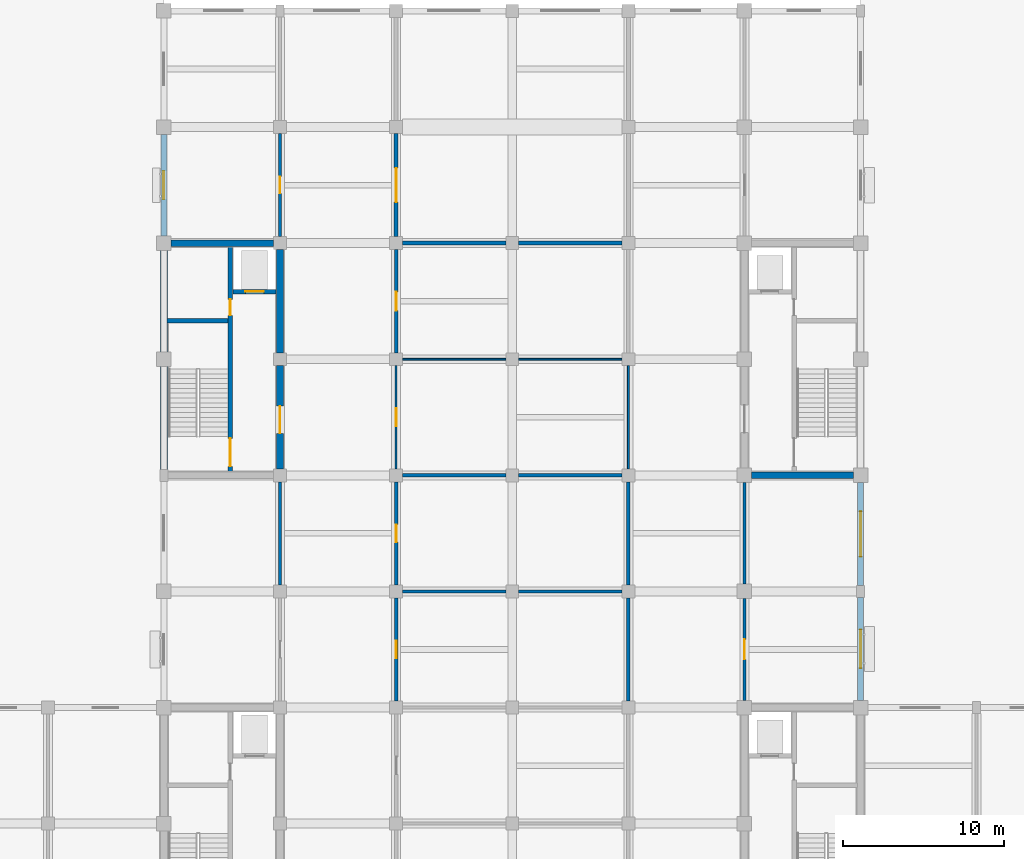
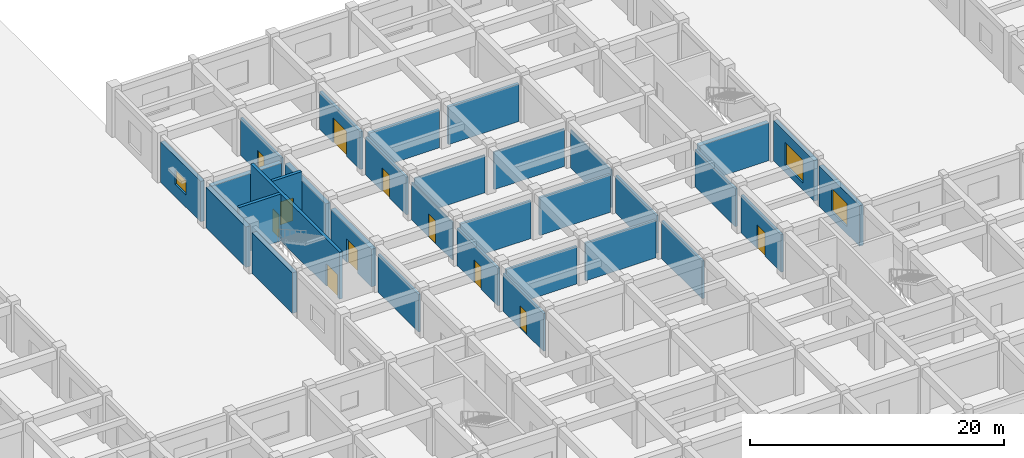
# One storey, part 13 of 37: 32 walls, 11 doors, 3 windows, 14 openings.
"""IFC4 building model written with IfcOpenShell, lengths in metres."""

from ifc_helpers import new_model, si_unit, direction, frame, frame_2d, origin, place, context, subcontext, project, spatial, rectangle, extrude, material, layer, layer_set, type_object, element, fill, save


model = new_model("IFC4")

# Units and contexts
model_context = context("Model", 3, precision=1e-05, world=origin(), true_north=direction((0.0, 1.0)))
body_context = subcontext(model_context, "Body", "Model", "MODEL_VIEW")
ifc_project = project(units=[si_unit("LENGTHUNIT", "METRE"), si_unit("AREAUNIT", "SQUARE_METRE"), si_unit("VOLUMEUNIT", "CUBIC_METRE"), si_unit("PLANEANGLEUNIT", "RADIAN"), si_unit("MASSUNIT", "GRAM", prefix="KILO")], contexts=[model_context])

# Site, building, storey
site_placement = place(None, origin())
site = spatial("IfcSite", under=ifc_project, at=site_placement, CompositionType="ELEMENT")
building_placement = place(site_placement, origin())
building = spatial("IfcBuilding", under=site, at=building_placement, Name="Cendaluz Park School", CompositionType="ELEMENT")
storey_placement = place(building_placement, origin())
storey = spatial("IfcBuildingStorey", under=building, at=storey_placement, Name="L00", CompositionType="ELEMENT", Elevation=0.0)

# Wall
ifc_material_1 = material(Name="Gypsum Plasterboard on Cold-Formed Stud", Category="gypsum")
ifc_layer_1 = layer(ifc_material_1, 0.199951171875)
ifc_layer_set_1 = layer_set([ifc_layer_1], Name="Gypsum Plasterboard on Cold-Formed Stud")
wall_type_1 = type_object("IfcWallType", Name="W-AC20", PredefinedType="PARTITIONING", material=ifc_layer_set_1)
wall_1_placement = place(storey_placement, frame((79.60009765625, 36.0, 0.0), z_axis=(0.0, 0.0, 1.0), x_axis=(1.0, 0.0, 0.0)))
element("IfcWall", 1, at=wall_1_placement, inside=storey, type_object=wall_type_1, Name="WL-FA-CE6", PredefinedType="PARTITIONING", context=body_context, shape_type="SweptSolid", body=[
    extrude(rectangle(XDim=6.39990234375, YDim=0.199951171875, at=frame_2d((3.199951171875, 0.0))), origin(), (0.0, 0.0, 1.0), 3.6201171875),
])

# Wall, opening, door
wall_2_placement = place(storey_placement, frame((79.199951171875, 29.199951171875, 0.0), z_axis=(0.0, 0.0, 1.0), x_axis=(0.0, 1.0, 0.0)))
wall_2 = element("IfcWall", 2, at=wall_2_placement, inside=storey, type_object=wall_type_1, Name="WL-FA-CE7", PredefinedType="PARTITIONING", context=body_context, shape_type="SweptSolid", body=[
    extrude(rectangle(XDim=6.400146484375, YDim=0.199951171875, at=frame_2d((3.2001953125, 0.0))), origin(), (0.0, 0.0, 1.0), 3.6201171875),
])
opening_1_placement = place(wall_2_placement, frame((2.669921875, 0.0, 0.0)))
opening_1 = element("IfcOpeningElement", 3, at=opening_1_placement, cuts=wall_2, Name="Opening DCL-04", PredefinedType="OPENING", context=body_context, shape_type="SweptSolid", body=[
    extrude(rectangle(XDim=1.06005859375, YDim=2.159912109375, at=frame_2d((0.530029296875, 1.080078125))), frame((0.0, 0.112060546875, 0.0), z_axis=(0.0, -1.0, 0.0), x_axis=(1.0, 0.0, 0.0)), (0.0, 0.0, 1.0), 0.223876953125),
])
ifc_material_2 = material(Name="Solid Core Hardwood", Category="wood")
door_type_1 = type_object("IfcDoorType", Name="DCL-04", OperationType="NOTDEFINED", PredefinedType="DOOR", material=ifc_material_2)
door_1_placement = place(opening_1_placement, frame((1.06005859375, 0.0, 0.0), z_axis=(0.0, 0.0, 1.0), x_axis=(-1.0, 0.0, 0.0)))
door_1 = element("IfcDoor", 4, at=door_1_placement, inside=storey, type_object=door_type_1, Name="D-L00-076", OperationType="SINGLE_SWING_RIGHT", OverallHeight=2.159912109375, OverallWidth=1.06005859375, PredefinedType="DOOR", context=body_context, shape_type="SweptSolid", body=[
    extrude(rectangle(XDim=1.06005859375, YDim=2.159912109375, at=frame_2d((0.530029296875, 1.080078125))), frame((0.0, 0.02490234375, 0.0), z_axis=(0.0, -1.0, 0.0), x_axis=(1.0, 0.0, 0.0)), (0.0, 0.0, 1.0), 0.050048828125),
])
fill(opening_1, door_1)

# Walls
wall_3_placement = place(storey_placement, frame((86.800048828125, 36.0, 0.0), z_axis=(0.0, 0.0, 1.0), x_axis=(1.0, 0.0, 0.0)))
element("IfcWall", 5, at=wall_3_placement, inside=storey, type_object=wall_type_1, Name="WL-FA-CE9", PredefinedType="PARTITIONING", context=body_context, shape_type="SweptSolid", body=[
    extrude(rectangle(XDim=6.39990234375, YDim=0.199951171875, at=frame_2d((3.199951171875, 0.0))), origin(), (0.0, 0.0, 1.0), 3.6201171875),
])
wall_4_placement = place(storey_placement, frame((93.60009765625, 29.199951171875, 0.0), z_axis=(0.0, 0.0, 1.0), x_axis=(0.0, 1.0, 0.0)))
element("IfcWall", 6, at=wall_4_placement, inside=storey, type_object=wall_type_1, Name="WL-FA-CF0", PredefinedType="PARTITIONING", context=body_context, shape_type="SweptSolid", body=[
    extrude(rectangle(XDim=6.400146484375, YDim=0.199951171875, at=frame_2d((3.2001953125, 0.0))), origin(), (0.0, 0.0, 1.0), 3.6201171875),
])
wall_5_placement = place(storey_placement, frame((79.60009765625, 43.199951171875, 0.0), z_axis=(0.0, 0.0, 1.0), x_axis=(1.0, 0.0, 0.0)))
element("IfcWall", 7, at=wall_5_placement, inside=storey, type_object=wall_type_1, Name="WL-FA-CF1", PredefinedType="PARTITIONING", context=body_context, shape_type="SweptSolid", body=[
    extrude(rectangle(XDim=6.39990234375, YDim=0.199951171875, at=frame_2d((3.199951171875, 0.0))), origin(), (0.0, 0.0, 1.0), 3.6201171875),
])

# Wall, opening, door
wall_6_placement = place(storey_placement, frame((79.199951171875, 36.39990234375, 0.0), z_axis=(0.0, 0.0, 1.0), x_axis=(0.0, 1.0, 0.0)))
wall_6 = element("IfcWall", 8, at=wall_6_placement, inside=storey, type_object=wall_type_1, Name="WL-FA-CF2", PredefinedType="PARTITIONING", context=body_context, shape_type="SweptSolid", body=[
    extrude(rectangle(XDim=6.400146484375, YDim=0.199951171875, at=frame_2d((3.2001953125, 0.0))), origin(), (0.0, 0.0, 1.0), 3.6201171875),
])
opening_2_placement = place(wall_6_placement, frame((2.659912109375, 0.0, 0.0)))
opening_2 = element("IfcOpeningElement", 9, at=opening_2_placement, cuts=wall_6, Name="Opening DCL-05", PredefinedType="OPENING", context=body_context, shape_type="SweptSolid", body=[
    extrude(rectangle(XDim=1.080078125, YDim=2.179931640625, at=frame_2d((0.5400390625, 1.08984375))), frame((0.0, 0.112060546875, 0.0), z_axis=(0.0, -1.0, 0.0), x_axis=(1.0, 0.0, 0.0)), (0.0, 0.0, 1.0), 0.223876953125),
])
door_type_2 = type_object("IfcDoorType", Name="DCL-05", OperationType="NOTDEFINED", PredefinedType="DOOR", material=ifc_material_2)
door_2_placement = place(opening_2_placement, frame((1.080078125, 0.0, 0.0), z_axis=(0.0, 0.0, 1.0), x_axis=(-1.0, 0.0, 0.0)))
door_2 = element("IfcDoor", 10, at=door_2_placement, inside=storey, type_object=door_type_2, Name="D-L00-077", OperationType="SINGLE_SWING_LEFT", OverallHeight=2.179931640625, OverallWidth=1.080078125, PredefinedType="DOOR", context=body_context, shape_type="SweptSolid", body=[
    extrude(rectangle(XDim=1.080078125, YDim=2.179931640625, at=frame_2d((0.5400390625, 1.08984375))), frame((0.0, 0.02490234375, 0.0), z_axis=(0.0, -1.0, 0.0), x_axis=(1.0, 0.0, 0.0)), (0.0, 0.0, 1.0), 0.050048828125),
])
fill(opening_2, door_2)

# Walls
wall_7_placement = place(storey_placement, frame((86.800048828125, 43.199951171875, 0.0), z_axis=(0.0, 0.0, 1.0), x_axis=(1.0, 0.0, 0.0)))
element("IfcWall", 11, at=wall_7_placement, inside=storey, type_object=wall_type_1, Name="WL-FA-CF3", PredefinedType="PARTITIONING", context=body_context, shape_type="SweptSolid", body=[
    extrude(rectangle(XDim=6.39990234375, YDim=0.199951171875, at=frame_2d((3.199951171875, 0.0))), origin(), (0.0, 0.0, 1.0), 3.6201171875),
])
for number, where, z_axis, x_axis, name in (
    (12, (93.60009765625, 36.39990234375, 0.0), (0.0, 0.0, 1.0), (0.0, 1.0, 0.0), "WL-FA-CF4"),
    (13, (72.0, 36.39990234375, 0.0), (0.0, 0.0, 1.0), (0.0, 1.0, 0.0), "WL-FA-CJ5"),
):
    element("IfcWall", number, at=place(storey_placement, frame(where, z_axis=z_axis, x_axis=x_axis)), inside=storey, type_object=wall_type_1, Name=name, PredefinedType="PARTITIONING", context=body_context, shape_type="SweptSolid", body=[
        extrude(rectangle(XDim=6.400146484375, YDim=0.199951171875, at=frame_2d((3.2001953125, 0.0))), origin(), (0.0, 0.0, 1.0), 3.6201171875),
    ])

# Wall, opening, door
wall_8_placement = place(storey_placement, frame((72.0, 58.0, 0.0), z_axis=(0.0, 0.0, 1.0), x_axis=(0.0, 1.0, 0.0)))
wall_8 = element("IfcWall", 14, at=wall_8_placement, inside=storey, type_object=wall_type_1, Name="WL-FA-CJ6", PredefinedType="PARTITIONING", context=body_context, shape_type="SweptSolid", body=[
    extrude(rectangle(XDim=6.39990234375, YDim=0.199951171875, at=frame_2d((3.199951171875, 0.0))), origin(), (0.0, 0.0, 1.0), 3.6201171875),
])
opening_3_placement = place(wall_8_placement, frame((2.679931640625, 0.0, 0.0)))
opening_3 = element("IfcOpeningElement", 15, at=opening_3_placement, cuts=wall_8, Name="Opening DCL-03", PredefinedType="OPENING", context=body_context, shape_type="SweptSolid", body=[
    extrude(rectangle(XDim=1.0400390625, YDim=2.139892578125, at=frame_2d((0.52001953125, 1.06982421875))), frame((0.0, 0.112060546875, 0.0), z_axis=(0.0, -1.0, 0.0), x_axis=(1.0, 0.0, 0.0)), (0.0, 0.0, 1.0), 0.223876953125),
])
door_type_3 = type_object("IfcDoorType", Name="DCL-03", OperationType="NOTDEFINED", PredefinedType="DOOR", material=ifc_material_2)
door_3_placement = place(opening_3_placement, origin())
door_3 = element("IfcDoor", 16, at=door_3_placement, inside=storey, type_object=door_type_3, Name="D-L00-095", OperationType="SINGLE_SWING_LEFT", OverallHeight=2.139892578125, OverallWidth=1.0400390625, PredefinedType="DOOR", context=body_context, shape_type="SweptSolid", body=[
    extrude(rectangle(XDim=1.0400390625, YDim=2.139892578125, at=frame_2d((0.52001953125, 1.06982421875))), frame((0.0, 0.02490234375, 0.0), z_axis=(0.0, -1.0, 0.0), x_axis=(1.0, 0.0, 0.0)), (0.0, 0.0, 1.0), 0.050048828125),
])
fill(opening_3, door_3)

wall_9_placement = place(storey_placement, frame((79.199951171875, 50.800048828125, 0.0), z_axis=(0.0, 0.0, 1.0), x_axis=(0.0, 1.0, 0.0)))
wall_9 = element("IfcWall", 17, at=wall_9_placement, inside=storey, type_object=wall_type_1, Name="WL-FA-CL0", PredefinedType="PARTITIONING", context=body_context, shape_type="SweptSolid", body=[
    extrude(rectangle(XDim=6.39990234375, YDim=0.199951171875, at=frame_2d((3.199951171875, 0.0))), origin(), (0.0, 0.0, 1.0), 3.6201171875),
])
opening_4_placement = place(wall_9_placement, frame((2.6201171875, 0.0, 0.0)))
opening_4 = element("IfcOpeningElement", 18, at=opening_4_placement, cuts=wall_9, Name="Opening DCL-07", PredefinedType="OPENING", context=body_context, shape_type="SweptSolid", body=[
    extrude(rectangle(XDim=1.159912109375, YDim=2.219970703125, at=frame_2d((0.580078125, 1.10986328125))), frame((0.0, 0.112060546875, 0.0), z_axis=(0.0, -1.0, 0.0), x_axis=(1.0, 0.0, 0.0)), (0.0, 0.0, 1.0), 0.223876953125),
])
door_type_4 = type_object("IfcDoorType", Name="DCL-07", OperationType="NOTDEFINED", PredefinedType="DOOR", material=ifc_material_2)
door_4_placement = place(opening_4_placement, frame((1.159912109375, 0.0, 0.0), z_axis=(0.0, 0.0, 1.0), x_axis=(-1.0, 0.0, 0.0)))
door_4 = element("IfcDoor", 19, at=door_4_placement, inside=storey, type_object=door_type_4, Name="D-L00-099", OperationType="SINGLE_SWING_LEFT", OverallHeight=2.219970703125, OverallWidth=1.159912109375, PredefinedType="DOOR", context=body_context, shape_type="SweptSolid", body=[
    extrude(rectangle(XDim=1.159912109375, YDim=2.219970703125, at=frame_2d((0.580078125, 1.10986328125))), frame((0.0, 0.02490234375, 0.0), z_axis=(0.0, -1.0, 0.0), x_axis=(1.0, 0.0, 0.0)), (0.0, 0.0, 1.0), 0.050048828125),
])
fill(opening_4, door_4)

wall_10_placement = place(storey_placement, frame((100.800048828125, 29.25, 0.0), z_axis=(0.0, 0.0, 1.0), x_axis=(0.0, 1.0, 0.0)))
wall_10 = element("IfcWall", 20, at=wall_10_placement, inside=storey, type_object=wall_type_1, Name="WL-FA-CL5", PredefinedType="PARTITIONING", context=body_context, shape_type="SweptSolid", body=[
    extrude(rectangle(XDim=6.300048828125, YDim=0.199951171875, at=frame_2d((3.14990234375, 0.0))), origin(), (0.0, 0.0, 1.0), 3.6201171875),
])
opening_5_placement = place(wall_10_placement, frame((2.530029296875, 0.0, 0.0)))
opening_5 = element("IfcOpeningElement", 21, at=opening_5_placement, cuts=wall_10, Name="Opening DCL-09", PredefinedType="OPENING", context=body_context, shape_type="SweptSolid", body=[
    extrude(rectangle(XDim=1.239990234375, YDim=2.260009765625, at=frame_2d((0.6201171875, 1.1298828125))), frame((0.0, 0.112060546875, 0.0), z_axis=(0.0, -1.0, 0.0), x_axis=(1.0, 0.0, 0.0)), (0.0, 0.0, 1.0), 0.223876953125),
])
door_type_5 = type_object("IfcDoorType", Name="DCL-09", OperationType="NOTDEFINED", PredefinedType="DOOR", material=ifc_material_2)
door_5_placement = place(opening_5_placement, frame((1.239990234375, 0.0, 0.0), z_axis=(0.0, 0.0, 1.0), x_axis=(-1.0, 0.0, 0.0)))
door_5 = element("IfcDoor", 22, at=door_5_placement, inside=storey, type_object=door_type_5, Name="D-L00-101", OperationType="SINGLE_SWING_LEFT", OverallHeight=2.260009765625, OverallWidth=1.239990234375, PredefinedType="DOOR", context=body_context, shape_type="SweptSolid", body=[
    extrude(rectangle(XDim=1.239990234375, YDim=2.260009765625, at=frame_2d((0.6201171875, 1.1298828125))), frame((0.0, 0.02490234375, 0.0), z_axis=(0.0, -1.0, 0.0), x_axis=(1.0, 0.0, 0.0)), (0.0, 0.0, 1.0), 0.050048828125),
])
fill(opening_5, door_5)

# Walls
wall_11_placement = place(storey_placement, frame((100.800048828125, 36.449951171875, 0.0), z_axis=(0.0, 0.0, 1.0), x_axis=(0.0, 1.0, 0.0)))
element("IfcWall", 23, at=wall_11_placement, inside=storey, type_object=wall_type_1, Name="WL-FA-CL6", PredefinedType="PARTITIONING", context=body_context, shape_type="SweptSolid", body=[
    extrude(rectangle(XDim=6.300048828125, YDim=0.199951171875, at=frame_2d((3.14990234375, 0.0))), origin(), (0.0, 0.0, 1.0), 3.6201171875),
])
ifc_layer_2 = layer(ifc_material_1, 0.25)
ifc_layer_set_2 = layer_set([ifc_layer_2], Name="Gypsum Plasterboard on Cold-Formed Stud")
wall_type_2 = type_object("IfcWallType", Name="W-CP25", PredefinedType="PARTITIONING", material=ifc_layer_set_2)
wall_12_placement = place(storey_placement, frame((79.60009765625, 57.60009765625, 0.0), z_axis=(0.0, 0.0, 1.0), x_axis=(1.0, 0.0, 0.0)))
element("IfcWall", 24, at=wall_12_placement, inside=storey, type_object=wall_type_2, Name="WL-FA-CD9", PredefinedType="PARTITIONING", context=body_context, shape_type="SweptSolid", body=[
    extrude(rectangle(XDim=6.39990234375, YDim=0.25, at=frame_2d((3.199951171875, 0.0))), origin(), (0.0, 0.0, 1.0), 3.6201171875),
])

# Wall, opening, door
wall_13_placement = place(storey_placement, frame((79.199951171875, 58.0, 0.0), z_axis=(0.0, 0.0, 1.0), x_axis=(0.0, 1.0, 0.0)))
wall_13 = element("IfcWall", 25, at=wall_13_placement, inside=storey, type_object=wall_type_2, Name="WL-FA-CE0", PredefinedType="PARTITIONING", context=body_context, shape_type="SweptSolid", body=[
    extrude(rectangle(XDim=6.39990234375, YDim=0.25, at=frame_2d((3.199951171875, 0.0))), origin(), (0.0, 0.0, 1.0), 3.6201171875),
])
opening_6_placement = place(wall_13_placement, frame((2.14990234375, 0.0, 0.0)))
opening_6 = element("IfcOpeningElement", 26, at=opening_6_placement, cuts=wall_13, Name="Opening DHL-02", PredefinedType="OPENING", context=body_context, shape_type="SweptSolid", body=[
    extrude(rectangle(XDim=2.10009765625, YDim=2.39990234375, at=frame_2d((1.050048828125, 1.199951171875))), frame((0.0, 0.136962890625, 0.0), z_axis=(0.0, -1.0, 0.0), x_axis=(1.0, 0.0, 0.0)), (0.0, 0.0, 1.0), 0.27392578125),
])
door_type_6 = type_object("IfcDoorType", Name="DHL-02", OperationType="DOUBLE_DOOR_SINGLE_SWING", PredefinedType="DOOR", material=ifc_material_2)
door_6_placement = place(opening_6_placement, origin())
door_6 = element("IfcDoor", 27, at=door_6_placement, inside=storey, type_object=door_type_6, Name="D-L00-075", OperationType="DOUBLE_DOOR_SINGLE_SWING", OverallHeight=2.39990234375, OverallWidth=2.10009765625, PredefinedType="DOOR", context=body_context, shape_type="SweptSolid", body=[
    extrude(rectangle(XDim=2.10009765625, YDim=2.39990234375, at=frame_2d((1.050048828125, 1.199951171875))), frame((0.0, 0.02490234375, 0.0), z_axis=(0.0, -1.0, 0.0), x_axis=(1.0, 0.0, 0.0)), (0.0, 0.0, 1.0), 0.050048828125),
])
fill(opening_6, door_6)

# Wall
wall_14_placement = place(storey_placement, frame((86.800048828125, 57.60009765625, 0.0), z_axis=(0.0, 0.0, 1.0), x_axis=(1.0, 0.0, 0.0)))
element("IfcWall", 28, at=wall_14_placement, inside=storey, type_object=wall_type_2, Name="WL-FA-CE2", PredefinedType="PARTITIONING", context=body_context, shape_type="SweptSolid", body=[
    extrude(rectangle(XDim=6.39990234375, YDim=0.25, at=frame_2d((3.199951171875, 0.0))), origin(), (0.0, 0.0, 1.0), 3.6201171875),
])

# Wall, opening, window
ifc_material_3 = material(Name="Concrete C40/50 precast", Category="concrete")
ifc_layer_3 = layer(ifc_material_3, 0.360107421875)
ifc_layer_set_3 = layer_set([ifc_layer_3], Name="Concrete C40/50 precast")
wall_type_3 = type_object("IfcWallType", Name="W-EX36", PredefinedType="SOLIDWALL", material=ifc_layer_set_3)
wall_15_placement = place(storey_placement, frame((64.800048828125, 58.050048828125, 0.0), z_axis=(0.0, 0.0, 1.0), x_axis=(0.0, 1.0, 0.0)))
wall_15 = element("IfcWall", 29, at=wall_15_placement, inside=storey, type_object=wall_type_3, Name="WL-FA-AF7", PredefinedType="SOLIDWALL", context=body_context, shape_type="SweptSolid", body=[
    extrude(rectangle(XDim=6.300048828125, YDim=0.360107421875, at=frame_2d((3.14990234375, 0.0))), origin(), (0.0, 0.0, 1.0), 3.889892578125),
])
opening_7_placement = place(wall_15_placement, frame((2.27490234375, 0.0, 1.199951171875)))
opening_7 = element("IfcOpeningElement", 30, at=opening_7_placement, cuts=wall_15, Name="Opening WN-21", PredefinedType="OPENING", context=body_context, shape_type="SweptSolid", body=[
    extrude(rectangle(XDim=1.75, YDim=1.35009765625, at=frame_2d((0.875, 0.675048828125))), frame((0.0, 0.192138671875, 0.0), z_axis=(0.0, -1.0, 0.0), x_axis=(1.0, 0.0, 0.0)), (0.0, 0.0, 1.0), 0.384033203125),
])
ifc_material_4 = material(Name="Tempered Low-E Double Glazing", Category="glass")
window_type_1 = type_object("IfcWindowType", Name="WN-21", PartitioningType="SINGLE_PANEL", PredefinedType="WINDOW", material=ifc_material_4)
window_1_placement = place(opening_7_placement, origin())
window_1 = element("IfcWindow", 31, at=window_1_placement, inside=storey, type_object=window_type_1, Name="WN-L00-045", OverallHeight=1.35009765625, OverallWidth=1.75, PartitioningType="SINGLE_PANEL", PredefinedType="WINDOW", context=body_context, shape_type="SweptSolid", body=[
    extrude(rectangle(XDim=1.75, YDim=1.35009765625, at=frame_2d((0.875, 0.675048828125))), frame((0.0, 0.030029296875, 0.0), z_axis=(0.0, -1.0, 0.0), x_axis=(1.0, 0.0, 0.0)), (0.0, 0.0, 1.0), 0.06005859375),
])
fill(opening_7, window_1)

wall_16_placement = place(storey_placement, frame((108.0, 29.25, 0.0), z_axis=(0.0, 0.0, 1.0), x_axis=(0.0, 1.0, 0.0)))
wall_16 = element("IfcWall", 32, at=wall_16_placement, inside=storey, type_object=wall_type_3, Name="WL-FA-AG9", PredefinedType="SOLIDWALL", context=body_context, shape_type="SweptSolid", body=[
    extrude(rectangle(XDim=6.375, YDim=0.360107421875, at=frame_2d((3.1875, 0.0))), origin(), (0.0, 0.0, 1.0), 3.889892578125),
])
opening_8_placement = place(wall_16_placement, frame((1.987548828125, 0.0, 0.699951171875)))
opening_8 = element("IfcOpeningElement", 33, at=opening_8_placement, cuts=wall_16, Name="Opening WN-23", PredefinedType="OPENING", context=body_context, shape_type="SweptSolid", body=[
    extrude(rectangle(XDim=2.39990234375, YDim=2.199951171875, at=frame_2d((1.199951171875, 1.10009765625))), frame((0.0, 0.192138671875, 0.0), z_axis=(0.0, -1.0, 0.0), x_axis=(1.0, 0.0, 0.0)), (0.0, 0.0, 1.0), 0.384033203125),
])
window_type_2 = type_object("IfcWindowType", Name="WN-23", PartitioningType="SINGLE_PANEL", PredefinedType="WINDOW", material=ifc_material_4)
window_2_placement = place(opening_8_placement, origin())
window_2 = element("IfcWindow", 34, at=window_2_placement, inside=storey, type_object=window_type_2, Name="WN-L00-053", OverallHeight=2.199951171875, OverallWidth=2.39990234375, PartitioningType="SINGLE_PANEL", PredefinedType="WINDOW", context=body_context, shape_type="SweptSolid", body=[
    extrude(rectangle(XDim=2.39990234375, YDim=2.199951171875, at=frame_2d((1.199951171875, 1.10009765625))), frame((0.0, 0.030029296875, 0.0), z_axis=(0.0, -1.0, 0.0), x_axis=(1.0, 0.0, 0.0)), (0.0, 0.0, 1.0), 0.06005859375),
])
fill(opening_8, window_2)

wall_17_placement = place(storey_placement, frame((108.0, 36.375, 0.0), z_axis=(0.0, 0.0, 1.0), x_axis=(0.0, 1.0, 0.0)))
wall_17 = element("IfcWall", 35, at=wall_17_placement, inside=storey, type_object=wall_type_3, Name="WL-FA-AH0", PredefinedType="SOLIDWALL", context=body_context, shape_type="SweptSolid", body=[
    extrude(rectangle(XDim=6.375, YDim=0.360107421875, at=frame_2d((3.1875, 0.0))), origin(), (0.0, 0.0, 1.0), 3.889892578125),
])
opening_9_placement = place(wall_17_placement, frame((1.78759765625, 0.0, 0.699951171875)))
opening_9 = element("IfcOpeningElement", 36, at=opening_9_placement, cuts=wall_17, Name="Opening WN-24", PredefinedType="OPENING", context=body_context, shape_type="SweptSolid", body=[
    extrude(rectangle(XDim=2.800048828125, YDim=2.199951171875, at=frame_2d((1.39990234375, 1.10009765625))), frame((0.0, 0.192138671875, 0.0), z_axis=(0.0, -1.0, 0.0), x_axis=(1.0, 0.0, 0.0)), (0.0, 0.0, 1.0), 0.384033203125),
])
window_type_3 = type_object("IfcWindowType", Name="WN-24", PartitioningType="SINGLE_PANEL", PredefinedType="WINDOW", material=ifc_material_4)
window_3_placement = place(opening_9_placement, origin())
window_3 = element("IfcWindow", 37, at=window_3_placement, inside=storey, type_object=window_type_3, Name="WN-L00-054", OverallHeight=2.199951171875, OverallWidth=2.800048828125, PartitioningType="SINGLE_PANEL", PredefinedType="WINDOW", context=body_context, shape_type="SweptSolid", body=[
    extrude(rectangle(XDim=2.800048828125, YDim=2.199951171875, at=frame_2d((1.39990234375, 1.10009765625))), frame((0.0, 0.030029296875, 0.0), z_axis=(0.0, -1.0, 0.0), x_axis=(1.0, 0.0, 0.0)), (0.0, 0.0, 1.0), 0.06005859375),
])
fill(opening_9, window_3)

# Wall, openings, doors
ifc_material_5 = material(Name="Concrete C40/50", Category="concrete")
ifc_layer_4 = layer(ifc_material_5, 0.280029296875)
ifc_layer_set_4 = layer_set([ifc_layer_4], Name="Concrete C40/50")
wall_type_4 = type_object("IfcWallType", Name="W-FW28", PredefinedType="SHEAR", material=ifc_layer_set_4)
wall_18_placement = place(storey_placement, frame((68.919921875, 43.39990234375, 0.0), z_axis=(0.0, 0.0, 1.0), x_axis=(0.0, 1.0, 0.0)))
wall_18 = element("IfcWall", 38, at=wall_18_placement, inside=storey, type_object=wall_type_4, Name="WL-FA-BT2", PredefinedType="SHEAR", context=body_context, shape_type="SweptSolid", body=[
    extrude(rectangle(XDim=14.0, YDim=0.280029296875, at=frame_2d((7.0, 0.0))), origin(), (0.0, 0.0, 1.0), 4.52001953125),
])
opening_10_placement = place(wall_18_placement, frame((0.35009765625, 0.0, 0.0)))
opening_10 = element("IfcOpeningElement", 39, at=opening_10_placement, cuts=wall_18, Name="Opening DST-03", PredefinedType="OPENING", context=body_context, shape_type="SweptSolid", body=[
    extrude(rectangle(XDim=1.75, YDim=2.14990234375, at=frame_2d((0.875, 1.074951171875))), frame((0.0, 0.152099609375, 0.0), z_axis=(0.0, -1.0, 0.0), x_axis=(1.0, 0.0, 0.0)), (0.0, 0.0, 1.0), 0.303955078125),
])
opening_11_placement = place(wall_18_placement, frame((9.719970703125, 0.0, 0.0)))
opening_11 = element("IfcOpeningElement", 40, at=opening_11_placement, cuts=wall_18, Name="Opening DFC-01", PredefinedType="OPENING", context=body_context, shape_type="SweptSolid", body=[
    extrude(rectangle(XDim=1.0, YDim=2.14990234375, at=frame_2d((0.5, 1.074951171875))), frame((0.0, 0.152099609375, 0.0), z_axis=(0.0, -1.0, 0.0), x_axis=(1.0, 0.0, 0.0)), (0.0, 0.0, 1.0), 0.303955078125),
])
door_type_7 = type_object("IfcDoorType", Name="DFC-01", OperationType="NOTDEFINED", PredefinedType="DOOR", material=ifc_material_2)
door_7_placement = place(opening_11_placement, origin())
door_7 = element("IfcDoor", 41, at=door_7_placement, inside=storey, type_object=door_type_7, Name="D-L00-042", OperationType="SINGLE_SWING_RIGHT", OverallHeight=2.14990234375, OverallWidth=1.0, PredefinedType="DOOR", context=body_context, shape_type="SweptSolid", body=[
    extrude(rectangle(XDim=1.0, YDim=2.14990234375, at=frame_2d((0.5, 1.074951171875))), frame((0.0, 0.02490234375, 0.0), z_axis=(0.0, -1.0, 0.0), x_axis=(1.0, 0.0, 0.0)), (0.0, 0.0, 1.0), 0.050048828125),
])
fill(opening_11, door_7)
door_type_8 = type_object("IfcDoorType", Name="DST-03", OperationType="DOUBLE_DOOR_SINGLE_SWING", PredefinedType="DOOR", material=ifc_material_2)
door_8_placement = place(opening_10_placement, frame((1.75, 0.0, 0.0), z_axis=(0.0, 0.0, 1.0), x_axis=(-1.0, 0.0, 0.0)))
door_8 = element("IfcDoor", 42, at=door_8_placement, inside=storey, type_object=door_type_8, Name="D-L00-041", OperationType="DOUBLE_DOOR_SINGLE_SWING", OverallHeight=2.14990234375, OverallWidth=1.75, PredefinedType="DOOR", context=body_context, shape_type="SweptSolid", body=[
    extrude(rectangle(XDim=1.75, YDim=2.14990234375, at=frame_2d((0.875, 1.074951171875))), frame((0.0, 0.02490234375, 0.0), z_axis=(0.0, -1.0, 0.0), x_axis=(1.0, 0.0, 0.0)), (0.0, 0.0, 1.0), 0.050048828125),
])
fill(opening_10, door_8)

# Wall
wall_19_placement = place(storey_placement, frame((65.0, 52.780029296875, 0.0), z_axis=(0.0, 0.0, 1.0), x_axis=(1.0, 0.0, 0.0)))
element("IfcWall", 43, at=wall_19_placement, inside=storey, type_object=wall_type_4, Name="WL-FA-BT3", PredefinedType="SHEAR", context=body_context, shape_type="SweptSolid", body=[
    extrude(rectangle(XDim=3.780029296875, YDim=0.280029296875, at=frame_2d((1.89013671875, 0.0))), origin(), (0.0, 0.0, 1.0), 4.52001953125),
])

# Wall, opening, door
wall_20_placement = place(storey_placement, frame((69.080078125, 54.60009765625, 0.0), z_axis=(0.0, 0.0, 1.0), x_axis=(1.0, 0.0, 0.0)))
wall_20 = element("IfcWall", 44, at=wall_20_placement, inside=storey, type_object=wall_type_4, Name="WL-FA-BT4", PredefinedType="SHEAR", context=body_context, shape_type="SweptSolid", body=[
    extrude(rectangle(XDim=2.679931640625, YDim=0.280029296875, at=frame_2d((1.33984375, 0.0))), origin(), (0.0, 0.0, 1.0), 4.52001953125),
])
opening_12_placement = place(wall_20_placement, frame((0.764892578125, 0.0, 0.0)))
opening_12 = element("IfcOpeningElement", 45, at=opening_12_placement, cuts=wall_20, Name="Opening LD-01", PredefinedType="OPENING", context=body_context, shape_type="SweptSolid", body=[
    extrude(rectangle(XDim=1.14990234375, YDim=2.199951171875, at=frame_2d((0.574951171875, 1.10009765625))), frame((0.0, 0.152099609375, 0.0), z_axis=(0.0, -1.0, 0.0), x_axis=(1.0, 0.0, 0.0)), (0.0, 0.0, 1.0), 0.303955078125),
])
ifc_material_6 = material(Name="Stainless Steel 316L", Category="steel")
door_type_9 = type_object("IfcDoorType", Name="LD-01", OperationType="DOUBLE_DOOR_SLIDING", PredefinedType="DOOR", material=ifc_material_6)
door_9_placement = place(opening_12_placement, frame((1.14990234375, 0.0, 0.0), z_axis=(0.0, 0.0, 1.0), x_axis=(-1.0, 0.0, 0.0)))
door_9 = element("IfcDoor", 46, at=door_9_placement, inside=storey, type_object=door_type_9, Name="D-L00-043", OperationType="DOUBLE_DOOR_SLIDING", OverallHeight=2.199951171875, OverallWidth=1.14990234375, PredefinedType="DOOR", context=body_context, shape_type="SweptSolid", body=[
    extrude(rectangle(XDim=1.14990234375, YDim=2.199951171875, at=frame_2d((0.574951171875, 1.10009765625))), frame((0.0, 0.02490234375, 0.0), z_axis=(0.0, -1.0, 0.0), x_axis=(1.0, 0.0, 0.0)), (0.0, 0.0, 1.0), 0.050048828125),
])
fill(opening_12, door_9)

# Wall
ifc_layer_5 = layer(ifc_material_1, 0.1201171875)
ifc_layer_set_5 = layer_set([ifc_layer_5], Name="Gypsum Plasterboard on Cold-Formed Stud")
wall_type_5 = type_object("IfcWallType", Name="W-MV12", PredefinedType="MOVABLE", material=ifc_layer_set_5)
wall_21_placement = place(storey_placement, frame((79.60009765625, 50.39990234375, 0.0), z_axis=(0.0, 0.0, 1.0), x_axis=(1.0, 0.0, 0.0)))
element("IfcWall", 47, at=wall_21_placement, inside=storey, type_object=wall_type_5, Name="WL-FA-CK6", PredefinedType="MOVABLE", context=body_context, shape_type="SweptSolid", body=[
    extrude(rectangle(XDim=6.39990234375, YDim=0.1201171875, at=frame_2d((3.199951171875, 0.0))), origin(), (0.0, 0.0, 1.0), 3.6201171875),
])

# Wall, opening, door
wall_22_placement = place(storey_placement, frame((79.199951171875, 43.60009765625, 0.0), z_axis=(0.0, 0.0, 1.0), x_axis=(0.0, 1.0, 0.0)))
wall_22 = element("IfcWall", 48, at=wall_22_placement, inside=storey, type_object=wall_type_5, Name="WL-FA-CK7", PredefinedType="MOVABLE", context=body_context, shape_type="SweptSolid", body=[
    extrude(rectangle(XDim=6.39990234375, YDim=0.1201171875, at=frame_2d((3.199951171875, 0.0))), origin(), (0.0, 0.0, 1.0), 3.6201171875),
])
opening_13_placement = place(wall_22_placement, frame((2.639892578125, 0.0, 0.0)))
opening_13 = element("IfcOpeningElement", 49, at=opening_13_placement, cuts=wall_22, Name="Opening DCL-06", PredefinedType="OPENING", context=body_context, shape_type="SweptSolid", body=[
    extrude(rectangle(XDim=1.1201171875, YDim=2.199951171875, at=frame_2d((0.56005859375, 1.10009765625))), frame((0.0, 0.072021484375, 0.0), z_axis=(0.0, -1.0, 0.0), x_axis=(1.0, 0.0, 0.0)), (0.0, 0.0, 1.0), 0.14404296875),
])
door_type_10 = type_object("IfcDoorType", Name="DCL-06", OperationType="NOTDEFINED", PredefinedType="DOOR", material=ifc_material_2)
door_10_placement = place(opening_13_placement, frame((1.1201171875, 0.0, 0.0), z_axis=(0.0, 0.0, 1.0), x_axis=(-1.0, 0.0, 0.0)))
door_10 = element("IfcDoor", 50, at=door_10_placement, inside=storey, type_object=door_type_10, Name="D-L00-098", OperationType="SINGLE_SWING_RIGHT", OverallHeight=2.199951171875, OverallWidth=1.1201171875, PredefinedType="DOOR", context=body_context, shape_type="SweptSolid", body=[
    extrude(rectangle(XDim=1.1201171875, YDim=2.199951171875, at=frame_2d((0.56005859375, 1.10009765625))), frame((0.0, 0.02490234375, 0.0), z_axis=(0.0, -1.0, 0.0), x_axis=(1.0, 0.0, 0.0)), (0.0, 0.0, 1.0), 0.050048828125),
])
fill(opening_13, door_10)

# Walls
for number, where, z_axis, x_axis, name in (
    (51, (86.800048828125, 50.39990234375, 0.0), (0.0, 0.0, 1.0), (1.0, 0.0, 0.0), "WL-FA-CK8"),
    (52, (93.60009765625, 43.60009765625, 0.0), (0.0, 0.0, 1.0), (0.0, 1.0, 0.0), "WL-FA-CK9"),
):
    element("IfcWall", number, at=place(storey_placement, frame(where, z_axis=z_axis, x_axis=x_axis)), inside=storey, type_object=wall_type_5, Name=name, PredefinedType="MOVABLE", context=body_context, shape_type="SweptSolid", body=[
        extrude(rectangle(XDim=6.39990234375, YDim=0.1201171875, at=frame_2d((3.199951171875, 0.0))), origin(), (0.0, 0.0, 1.0), 3.6201171875),
    ])
ifc_layer_6 = layer(ifc_material_5, 0.419921875)
ifc_layer_set_6 = layer_set([ifc_layer_6], Name="Concrete C40/50")
wall_type_6 = type_object("IfcWallType", Name="W-SH42", PredefinedType="SHEAR", material=ifc_layer_set_6)
wall_23_placement = place(storey_placement, frame((64.800048828125, 43.574951171875, 0.0), z_axis=(0.0, 0.0, 1.0), x_axis=(0.0, 1.0, 0.0)))
element("IfcWall", 53, at=wall_23_placement, inside=storey, type_object=wall_type_6, Name="WL-FA-BS6", PredefinedType="SHEAR", context=body_context, shape_type="SweptSolid", body=[
    extrude(rectangle(XDim=6.375, YDim=0.419921875, at=frame_2d((3.1875, 0.0))), origin(), (0.0, 0.0, 1.0), 3.889892578125),
])
wall_24_placement = place(storey_placement, frame((64.800048828125, 50.85009765625, 0.0), z_axis=(0.0, 0.0, 1.0), x_axis=(0.0, 1.0, 0.0)))
element("IfcWall", 54, at=wall_24_placement, inside=storey, type_object=wall_type_6, Name="WL-FA-BS7", PredefinedType="SHEAR", context=body_context, shape_type="SweptSolid", body=[
    extrude(rectangle(XDim=6.2998046875, YDim=0.419921875, at=frame_2d((3.14990234375, 0.0))), origin(), (0.0, 0.0, 1.0), 3.889892578125),
])

# Wall, opening, door
wall_25_placement = place(storey_placement, frame((72.0, 43.60009765625, 0.0), z_axis=(0.0, 0.0, 1.0), x_axis=(0.0, 1.0, 0.0)))
wall_25 = element("IfcWall", 55, at=wall_25_placement, inside=storey, type_object=wall_type_6, Name="WL-FA-BS8", PredefinedType="SHEAR", context=body_context, shape_type="SweptSolid", body=[
    extrude(rectangle(XDim=6.39990234375, YDim=0.419921875, at=frame_2d((3.199951171875, 0.0))), origin(), (0.0, 0.0, 1.0), 3.6201171875),
])
opening_14_placement = place(wall_25_placement, frame((2.199951171875, 0.0, 0.0)))
opening_14 = element("IfcOpeningElement", 56, at=opening_14_placement, cuts=wall_25, Name="Opening DLB-02", PredefinedType="OPENING", context=body_context, shape_type="SweptSolid", body=[
    extrude(rectangle(XDim=1.699951171875, YDim=2.25, at=frame_2d((0.85009765625, 1.125))), frame((0.0, 0.221923828125, 0.0), z_axis=(0.0, -1.0, 0.0), x_axis=(1.0, 0.0, 0.0)), (0.0, 0.0, 1.0), 0.44384765625),
])
door_type_11 = type_object("IfcDoorType", Name="DLB-02", OperationType="DOUBLE_DOOR_SINGLE_SWING", PredefinedType="DOOR", material=ifc_material_2)
door_11_placement = place(opening_14_placement, frame((1.699951171875, 0.0, 0.0), z_axis=(0.0, 0.0, 1.0), x_axis=(-1.0, 0.0, 0.0)))
door_11 = element("IfcDoor", 57, at=door_11_placement, inside=storey, type_object=door_type_11, Name="D-L00-040", OperationType="DOUBLE_DOOR_SINGLE_SWING", OverallHeight=2.25, OverallWidth=1.699951171875, PredefinedType="DOOR", context=body_context, shape_type="SweptSolid", body=[
    extrude(rectangle(XDim=1.699951171875, YDim=2.25, at=frame_2d((0.85009765625, 1.125))), frame((0.0, 0.02490234375, 0.0), z_axis=(0.0, -1.0, 0.0), x_axis=(1.0, 0.0, 0.0)), (0.0, 0.0, 1.0), 0.050048828125),
])
fill(opening_14, door_11)

# Walls
wall_26_placement = place(storey_placement, frame((72.0, 50.800048828125, 0.0), z_axis=(0.0, 0.0, 1.0), x_axis=(0.0, 1.0, 0.0)))
element("IfcWall", 58, at=wall_26_placement, inside=storey, type_object=wall_type_6, Name="WL-FA-BS9", PredefinedType="SHEAR", context=body_context, shape_type="SweptSolid", body=[
    extrude(rectangle(XDim=6.39990234375, YDim=0.419921875, at=frame_2d((3.199951171875, 0.0))), origin(), (0.0, 0.0, 1.0), 3.6201171875),
])
wall_27_placement = place(storey_placement, frame((65.25, 57.60009765625, 0.0), z_axis=(0.0, 0.0, 1.0), x_axis=(1.0, 0.0, 0.0)))
element("IfcWall", 59, at=wall_27_placement, inside=storey, type_object=wall_type_6, Name="WL-FA-BT1", PredefinedType="SHEAR", context=body_context, shape_type="SweptSolid", body=[
    extrude(rectangle(XDim=6.35009765625, YDim=0.419921875, at=frame_2d((3.175048828125, 0.0))), origin(), (0.0, 0.0, 1.0), 3.6201171875),
])
wall_28_placement = place(storey_placement, frame((101.25, 43.199951171875, 0.0), z_axis=(0.0, 0.0, 1.0), x_axis=(1.0, 0.0, 0.0)))
element("IfcWall", 60, at=wall_28_placement, inside=storey, type_object=wall_type_6, Name="WL-FA-BT9", PredefinedType="SHEAR", context=body_context, shape_type="SweptSolid", body=[
    extrude(rectangle(XDim=6.300048828125, YDim=0.419921875, at=frame_2d((3.14990234375, 0.0))), origin(), (0.0, 0.0, 1.0), 3.6201171875),
])

save(model, "model.ifc")
